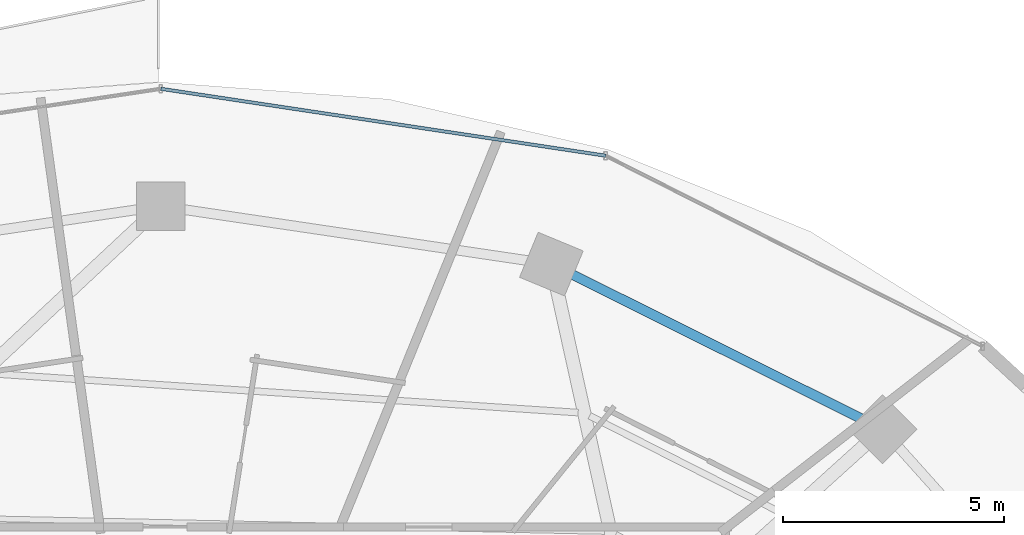
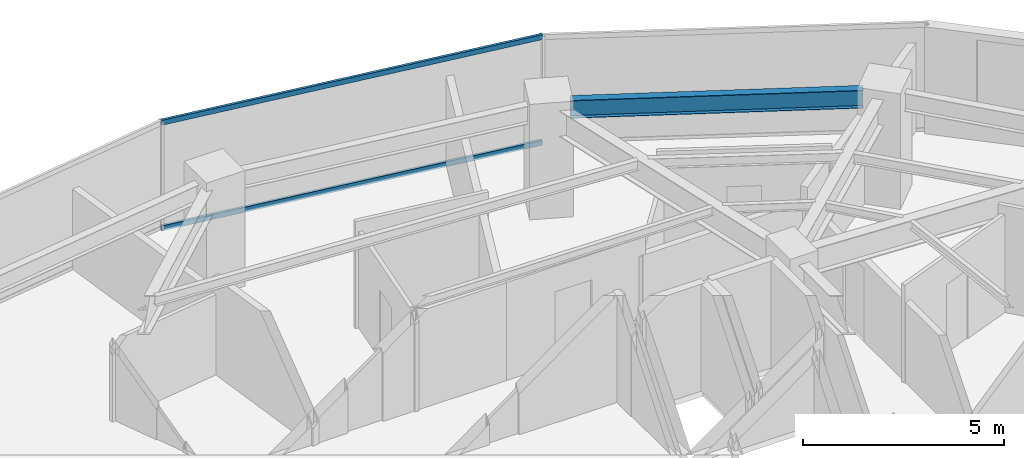
# One storey, part 19 of 30: 2 members, 1 beam, 1 element without a shape of its own.
"""IFC4 building model written with IfcOpenShell, lengths in metres."""

from ifc_helpers import new_model, si_unit, direction, frame, origin, origin_2d, place, context, subcontext, project, spatial, hollow_rectangle, i_section, extrude, material, material_profile, profile_set, type_object, element, aggregate, save


model = new_model("IFC4")

# Units and contexts
model_context = context("Model", 3, precision=1e-05, world=origin(), true_north=direction((0.0, 1.0)))
body_context = subcontext(model_context, "Body", "Model", "MODEL_VIEW")
ifc_project = project(units=[si_unit("LENGTHUNIT", "METRE"), si_unit("AREAUNIT", "SQUARE_METRE"), si_unit("VOLUMEUNIT", "CUBIC_METRE"), si_unit("PLANEANGLEUNIT", "RADIAN"), si_unit("MASSUNIT", "GRAM", prefix="KILO")], contexts=[model_context])

# Site, building, storey
site_placement = place(None, origin())
site = spatial("IfcSite", under=ifc_project, at=site_placement, CompositionType="ELEMENT")
building_placement = place(site_placement, origin())
building = spatial("IfcBuilding", under=site, at=building_placement, Name="Vorneva Point Tower", CompositionType="ELEMENT")
storey_placement = place(building_placement, frame((0.0, 0.0, 92.800048828125)))
storey = spatial("IfcBuildingStorey", under=building, at=storey_placement, Name="L24", CompositionType="ELEMENT", Elevation=92.800048828125)

# Beam
ifc_material_1 = material(Name="Steel S355", Category="steel")
ifc_material_profile_1 = material_profile(ifc_material_1, i_section(OverallWidth=0.219970703125, OverallDepth=0.54296875, WebThickness=0.009521484375, FlangeThickness=0.013427734375, at=origin_2d()), Name="55B1")
ifc_profile_set_1 = profile_set([ifc_material_profile_1], Name="Steel S355")
beam_type = type_object("IfcBeamType", Name="BM-SPN-55B1", PredefinedType="SPANDREL", material=ifc_profile_set_1)
beam_placement = place(storey_placement, frame((53.820068359375, 38.40087890625, 2.968505859375), z_axis=(-0.894915882304, 0.446234874926, 0.0), x_axis=(-0.446234874926, -0.894915882304, 0.0)))
element("IfcBeam", 1, at=beam_placement, inside=storey, type_object=beam_type, Name="L24 Perimeter Spandrel Ring Beam 03", PredefinedType="SPANDREL", context=body_context, shape_type="SweptSolid", body=[
    extrude(i_section(OverallWidth=0.219970703125, OverallDepth=0.54296875, WebThickness=0.009521484375, FlangeThickness=0.013427734375, at=origin_2d()), origin(), (0.0, 0.0, 1.0), 7.285888671875),
])

# Curtain wall, members
ifc_material_2 = material(Name="Pale anodised aluminium", Category="aluminium")
curtain_wall_type = type_object("IfcCurtainWallType", Name="CW-HTL-SYS", PredefinedType="NOTDEFINED", material=ifc_material_2)
curtain_wall_placement = place(storey_placement, origin())
curtain_wall = element("IfcCurtainWall", 2, at=curtain_wall_placement, inside=storey, type_object=curtain_wall_type, Name="L24 Unitised Curtain Wall CW-L24-R02", PredefinedType="NOTDEFINED")
ifc_material_profile_2 = material_profile(ifc_material_2, hollow_rectangle(XDim=0.074951171875, YDim=0.14990234375, WallThickness=0.00390625, at=origin_2d()), Name="AL-TRN 150x75x4")
ifc_profile_set_2 = profile_set([ifc_material_profile_2], Name="Pale anodised aluminium")
member_type = type_object("IfcMemberType", Name="CW-TRN-150", PredefinedType="USERDEFINED", material=ifc_profile_set_2)
member_1_placement = place(storey_placement, frame((48.04541015625, 44.339111328125, 0.02001953125), z_axis=(-0.988875982167, 0.148742367512, 0.0), x_axis=(-0.148742367512, -0.988875982167, 0.0)))
member_1 = element("IfcMember", 3, at=member_1_placement, type_object=member_type, Name="CW-L24-R02 Transom 02.1", ObjectType="TRANSOM", PredefinedType="USERDEFINED", context=body_context, shape_type="SweptSolid", body=[
    extrude(hollow_rectangle(XDim=0.074951171875, YDim=0.14990234375, WallThickness=0.00390625, at=origin_2d()), origin(), (0.0, 0.0, 1.0), 10.158447265625),
])
member_2_placement = place(storey_placement, frame((48.04541015625, 44.339111328125, 3.219970703125), z_axis=(-0.988875982167, 0.148742367512, 0.0), x_axis=(-0.148742367512, -0.988875982167, 0.0)))
member_2 = element("IfcMember", 4, at=member_2_placement, type_object=member_type, Name="CW-L24-R02 Transom 02.2", ObjectType="TRANSOM", PredefinedType="USERDEFINED", context=body_context, shape_type="SweptSolid", body=[
    extrude(hollow_rectangle(XDim=0.074951171875, YDim=0.14990234375, WallThickness=0.00390625, at=origin_2d()), origin(), (0.0, 0.0, 1.0), 10.158447265625),
])
aggregate(curtain_wall, [member_1, member_2])

save(model, "model.ifc")
